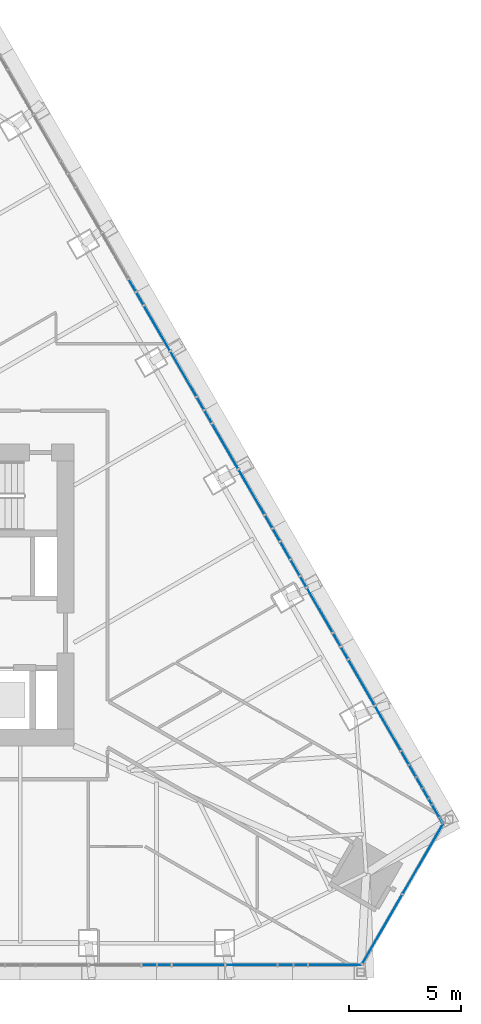
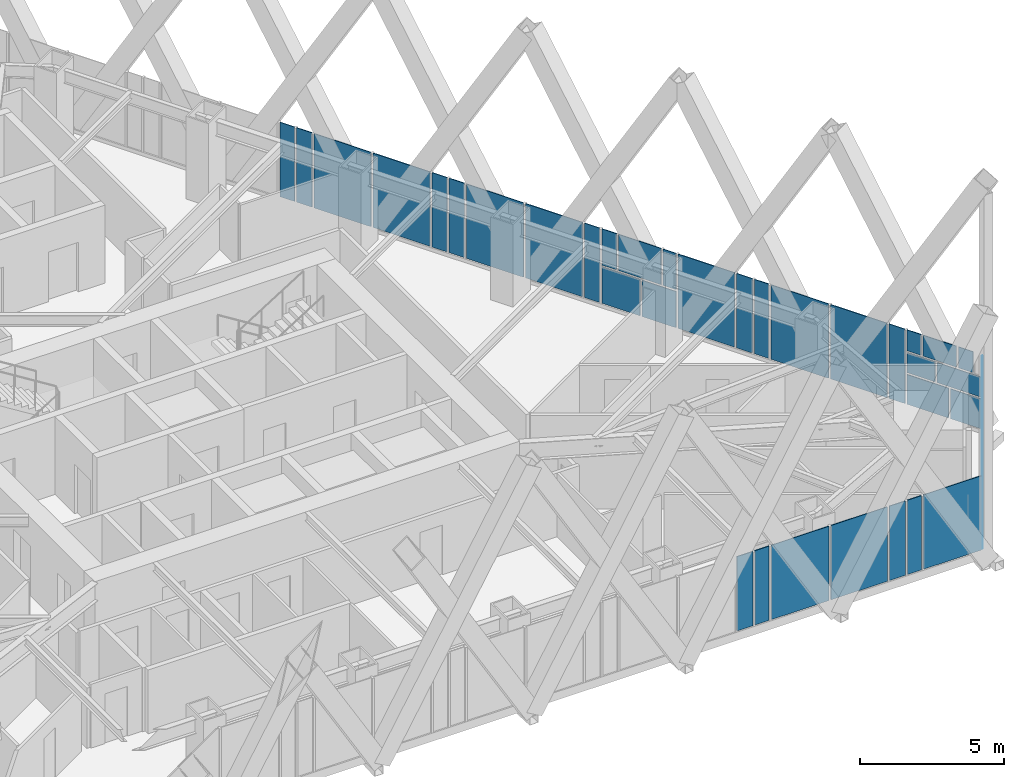
# One storey, part 14 of 23: 36 plates, 3 elements without a shape of their own.
"""IFC4 building model written with IfcOpenShell, lengths in metres."""

from ifc_helpers import new_model, si_unit, direction, frame, origin, place, context, subcontext, project, spatial, polyline, outline, extrude, material, layer, layer_set, type_object, element, aggregate, save


model = new_model("IFC4")

# Units and contexts
model_context = context("Model", 3, precision=1e-05, world=origin(), true_north=direction((0.0, 1.0)))
body_context = subcontext(model_context, "Body", "Model", "MODEL_VIEW")
ifc_project = project(units=[si_unit("LENGTHUNIT", "METRE"), si_unit("AREAUNIT", "SQUARE_METRE"), si_unit("VOLUMEUNIT", "CUBIC_METRE"), si_unit("PLANEANGLEUNIT", "RADIAN"), si_unit("MASSUNIT", "GRAM", prefix="KILO")], contexts=[model_context])

# Site, building, storey
site_placement = place(None, origin())
site = spatial("IfcSite", under=ifc_project, at=site_placement, CompositionType="ELEMENT")
building_placement = place(site_placement, origin())
building = spatial("IfcBuilding", under=site, at=building_placement, Name="Firuza Gate Tower and Library", CompositionType="ELEMENT")
storey_placement = place(building_placement, frame((0.0, 0.0, 302.10009765625)))
storey = spatial("IfcBuildingStorey", under=building, at=storey_placement, Name="L73", CompositionType="ELEMENT", Elevation=302.10009765625)

# Curtain wall, plates
ifc_material_1 = material(Name="Aluminium 6063-T6", Category="aluminium")
ifc_layer_1 = layer(ifc_material_1, 0.14990234375)
ifc_layer_set_1 = layer_set([ifc_layer_1], Name="Corner curtain wall, chamfers")
curtain_wall_type_1 = type_object("IfcCurtainWallType", Name="Corner curtain wall, chamfers", PredefinedType="NOTDEFINED", material=ifc_layer_set_1)
placement = place(storey_placement, origin())
curtain_wall_1 = element("IfcCurtainWall", 1, at=placement, inside=storey, type_object=curtain_wall_type_1, Name="CW4 L73 SE corner", PredefinedType="NOTDEFINED")
ifc_material_2 = material(Name="Fritted glass", Category="glass")
ifc_layer_2 = layer(ifc_material_2, 0.030029296875)
ifc_layer_set_2 = layer_set([ifc_layer_2], Name="Fritted glass unit, corners")
plate_type_1 = type_object("IfcPlateType", Name="Fritted glass unit, corners", PredefinedType="CURTAIN_PANEL", material=ifc_layer_set_2)
plate_1_placement = place(storey_placement, frame((96.412353515625, 58.476806640625, 0.14990234375), z_axis=(0.866046390552, -0.49996364809, 0.0), x_axis=(0.49996364809, 0.866046390552, 0.0)))
plate_1 = element("IfcPlate", 2, at=plate_1_placement, type_object=plate_type_1, Name="Glass unit", PredefinedType="CURTAIN_PANEL", context=body_context, shape_type="SweptSolid", body=[
    extrude(outline(polyline([(0.0, 0.0), (3.563247342942594, 0.0), (3.563247342942594, 3.14990234375), (0.0, 3.14990234375), (0.0, 0.0)])), origin(), (0.0, 0.0, -1.0), 0.030029296875),
])
plate_2_placement = place(storey_placement, frame((98.23388671875, 61.632080078125, 0.14990234375), z_axis=(0.866016723041, -0.500015035186, 0.0), x_axis=(0.500015035186, 0.866016723041, 0.0)))
plate_2 = element("IfcPlate", 3, at=plate_2_placement, type_object=plate_type_1, Name="Glass unit", PredefinedType="CURTAIN_PANEL", context=body_context, shape_type="SweptSolid", body=[
    extrude(outline(polyline([(0.0, 0.0), (3.5633694106530625, 0.0), (3.5633694106530625, 3.14990234375), (0.0, 3.14990234375), (0.0, 0.0)])), origin(), (0.0, 0.0, -1.0), 0.030029296875),
])
aggregate(curtain_wall_1, [plate_1, plate_2])

ifc_material_3 = material(Name="Aluminium 6063-T6", Category="aluminium")
ifc_layer_3 = layer(ifc_material_3, 0.14990234375)
ifc_layer_set_3 = layer_set([ifc_layer_3], Name="Unitised curtain wall, residences")
curtain_wall_type_2 = type_object("IfcCurtainWallType", Name="Unitised curtain wall, residences", PredefinedType="NOTDEFINED", material=ifc_layer_set_3)
curtain_wall_2 = element("IfcCurtainWall", 4, at=placement, inside=storey, type_object=curtain_wall_type_2, Name="CW3 L73 S face", PredefinedType="NOTDEFINED")
ifc_material_4 = material(Name="Fritted glass", Category="glass")
ifc_layer_4 = layer(ifc_material_4, 0.030029296875)
ifc_layer_set_4 = layer_set([ifc_layer_4], Name="Fritted glass unit, residences")
plate_type_2 = type_object("IfcPlateType", Name="Fritted glass unit, residences", PredefinedType="CURTAIN_PANEL", material=ifc_layer_set_4)
plate_3_placement = place(storey_placement, frame((86.549560546875, 58.434814453125, 0.14990234375), z_axis=(0.0, -1.0, 0.0), x_axis=(1.0, 0.0, 0.0)))
plate_3 = element("IfcPlate", 5, at=plate_3_placement, type_object=plate_type_2, Name="Glass unit", PredefinedType="CURTAIN_PANEL", context=body_context, shape_type="SweptSolid", body=[
    extrude(outline(polyline([(0.0, 0.0), (0.627197265625, 0.0), (0.627197265625, 3.14990234375), (0.0, 3.14990234375), (0.0, 0.0)])), origin(), (0.0, 0.0, -1.0), 0.030029296875),
])
plate_4_placement = place(storey_placement, frame((87.2568359375, 58.434814453125, 0.14990234375), z_axis=(0.0, -1.0, 0.0), x_axis=(1.0, 0.0, 0.0)))
plate_4 = element("IfcPlate", 6, at=plate_4_placement, type_object=plate_type_2, Name="Glass unit", PredefinedType="CURTAIN_PANEL", context=body_context, shape_type="SweptSolid", body=[
    extrude(outline(polyline([(0.0, 0.0), (0.57763671875, 0.0), (0.57763671875, 3.14990234375), (0.0, 3.14990234375), (0.0, 0.0)])), origin(), (0.0, 0.0, -1.0), 0.030029296875),
])
plate_5_placement = place(storey_placement, frame((92.6455078125, 58.434814453125, 0.14990234375), z_axis=(0.0, -1.0, 0.0), x_axis=(1.0, 0.0, 0.0)))
plate_5 = element("IfcPlate", 7, at=plate_5_placement, type_object=plate_type_2, Name="Glass unit", PredefinedType="CURTAIN_PANEL", context=body_context, shape_type="SweptSolid", body=[
    extrude(outline(polyline([(0.0, 0.0), (0.6396484375, 0.0), (0.6396484375, 3.14990234375), (0.0, 3.14990234375), (0.0, 0.0)])), origin(), (0.0, 0.0, -1.0), 0.030029296875),
])
plate_6_placement = place(storey_placement, frame((93.365234375, 58.434814453125, 0.14990234375), z_axis=(0.0, -1.0, 0.0), x_axis=(1.0, 0.0, 0.0)))
plate_6 = element("IfcPlate", 8, at=plate_6_placement, type_object=plate_type_2, Name="Glass unit", PredefinedType="CURTAIN_PANEL", context=body_context, shape_type="SweptSolid", body=[
    extrude(outline(polyline([(0.0, 0.0), (0.565185546875, 0.0), (0.565185546875, 3.14990234375), (0.0, 3.14990234375), (0.0, 0.0)])), origin(), (0.0, 0.0, -1.0), 0.030029296875),
])

curtain_wall_3 = element("IfcCurtainWall", 9, at=placement, inside=storey, type_object=curtain_wall_type_2, Name="CW3 L73 E face", PredefinedType="NOTDEFINED")
plate_7_placement = place(storey_placement, frame((99.35986328125, 65.938232421875, 0.14990234375), z_axis=(0.866002163101, 0.500040251884, 0.0), x_axis=(-0.500040251884, 0.866002163101, 0.0)))
plate_7 = element("IfcPlate", 10, at=plate_7_placement, type_object=plate_type_2, Name="Glass unit", PredefinedType="CURTAIN_PANEL", context=body_context, shape_type="SweptSolid", body=[
    extrude(outline(polyline([(0.0, 0.0), (1.6624638216484895, 0.0), (1.6624638216484895, 1.260009765625), (0.0, 1.260009765625), (0.0, 0.0)])), origin(), (0.0, 0.0, -1.0), 0.030029296875),
])
plate_8_placement = place(storey_placement, frame((99.09130859375, 66.4033203125, 1.489990234375), z_axis=(0.866004950882, 0.500035423793, 0.0), x_axis=(-0.500035423793, 0.866004950882, 0.0)))
plate_8 = element("IfcPlate", 11, at=plate_8_placement, type_object=plate_type_2, Name="Glass unit", PredefinedType="CURTAIN_PANEL", context=body_context, shape_type="SweptSolid", body=[
    extrude(outline(polyline([(0.0, 0.0), (1.1254085487704724, 0.0), (1.1254085487704724, 0.844970703125), (0.0, 0.844970703125), (0.0, 0.0)])), origin(), (0.0, 0.0, -1.0), 0.030029296875),
])
plate_9_placement = place(storey_placement, frame((99.85009765625, 65.089111328125, 2.414794921875), z_axis=(0.865997745606, 0.500047902311, 0.0), x_axis=(-0.500047902311, 0.865997745606, 0.0)))
plate_9 = element("IfcPlate", 12, at=plate_9_placement, type_object=plate_type_2, Name="Glass unit", PredefinedType="CURTAIN_PANEL", context=body_context, shape_type="SweptSolid", body=[
    extrude(outline(polyline([(0.0, 0.0), (0.5844166664324071, 0.0), (0.5844166664324071, 0.885009765625), (0.0, 0.885009765625), (0.0, 0.0)])), origin(), (0.0, 0.0, -1.0), 0.030029296875),
])
plate_10_placement = place(storey_placement, frame((98.81103515625, 66.888427734375, 2.414794921875), z_axis=(0.86613523903, 0.4998097115, 0.0), x_axis=(-0.4998097115, 0.86613523903, 0.0)))
plate_10 = element("IfcPlate", 13, at=plate_10_placement, type_object=plate_type_2, Name="Glass unit", PredefinedType="CURTAIN_PANEL", context=body_context, shape_type="SweptSolid", body=[
    extrude(outline(polyline([(0.0, 0.0), (0.5651564918118888, 0.0), (0.5651564918118888, 0.8850097656249998), (0.0, 0.8850097656249998), (0.0, 0.0)])), origin(), (0.0, 0.0, -1.0), 0.030029296875),
])
plate_11_placement = place(storey_placement, frame((98.488525390625, 67.447265625, 0.14990234375), z_axis=(0.866026686418, 0.499997778408, 0.0), x_axis=(-0.499997778408, 0.866026686418, 0.0)))
plate_11 = element("IfcPlate", 14, at=plate_11_placement, type_object=plate_type_2, Name="Glass unit", PredefinedType="CURTAIN_PANEL", context=body_context, shape_type="SweptSolid", body=[
    extrude(outline(polyline([(0.0, 0.0), (0.639651279588748, 0.0), (0.639651279588748, 3.14990234375), (0.0, 3.14990234375), (0.0, 0.0)])), origin(), (0.0, 0.0, -1.0), 0.030029296875),
])
plate_12_placement = place(storey_placement, frame((95.76318359375, 72.167724609375, 0.14990234375), z_axis=(0.86602370202, 0.50000294753, 0.0), x_axis=(-0.50000294753, 0.86602370202, 0.0)))
plate_12 = element("IfcPlate", 15, at=plate_12_placement, type_object=plate_type_2, Name="Glass unit", PredefinedType="CURTAIN_PANEL", context=body_context, shape_type="SweptSolid", body=[
    extrude(outline(polyline([(0.0, 0.0), (0.5776333135664108, 0.0), (0.5776333135664108, 3.149902343750001), (0.0, 3.149902343750001), (0.0, 0.0)])), origin(), (0.0, 0.0, -1.0), 0.030029296875),
])
plate_13_placement = place(storey_placement, frame((95.434326171875, 72.7373046875, 0.14990234375), z_axis=(0.866029956157, 0.499992114976, 0.0), x_axis=(-0.499992114976, 0.866029956157, 0.0)))
plate_13 = element("IfcPlate", 16, at=plate_13_placement, type_object=plate_type_2, Name="Glass unit", PredefinedType="CURTAIN_PANEL", context=body_context, shape_type="SweptSolid", body=[
    extrude(outline(polyline([(0.0, 0.0), (0.6269630122370689, 0.0), (0.6269630122370689, 3.14990234375), (0.0, 3.14990234375), (0.0, 0.0)])), origin(), (0.0, 0.0, -1.0), 0.030029296875),
])
plate_14_placement = place(storey_placement, frame((93.183837890625, 76.635009765625, 0.14990234375), z_axis=(0.866071151935, 0.499920753507, 0.0), x_axis=(-0.499920753507, 0.866071151935, 0.0)))
plate_14 = element("IfcPlate", 17, at=plate_14_placement, type_object=plate_type_2, Name="Glass unit", PredefinedType="CURTAIN_PANEL", context=body_context, shape_type="SweptSolid", body=[
    extrude(outline(polyline([(0.0, 0.0), (1.5275858616461073, 0.0), (1.5275858616461073, 1.534912109375), (0.0, 1.534912109375), (0.0, 0.0)])), origin(), (0.0, 0.0, -1.0), 0.030029296875),
])
plate_15_placement = place(storey_placement, frame((93.9072265625, 75.38232421875, 1.764892578125), z_axis=(0.865892535325, 0.500230064339, 0.0), x_axis=(-0.500230064339, 0.865892535325, 0.0)))
plate_15 = element("IfcPlate", 18, at=plate_15_placement, type_object=plate_type_2, Name="Glass unit", PredefinedType="CURTAIN_PANEL", context=body_context, shape_type="SweptSolid", body=[
    extrude(outline(polyline([(0.0, 0.0), (0.5134356285427951, 0.0), (0.5134356285427951, 1.534912109375), (0.0, 1.534912109375), (0.0, 0.0)])), origin(), (0.0, 0.0, -1.0), 0.030029296875),
])
plate_16_placement = place(storey_placement, frame((92.715087890625, 77.447021484375, 1.764892578125), z_axis=(0.866096013675, 0.499877680134, 0.0), x_axis=(-0.499877680134, 0.866096013675, 0.0)))
plate_16 = element("IfcPlate", 19, at=plate_16_placement, type_object=plate_type_2, Name="Glass unit", PredefinedType="CURTAIN_PANEL", context=body_context, shape_type="SweptSolid", body=[
    extrude(outline(polyline([(0.0, 0.0), (0.5899880845272943, 0.0), (0.5899880845272943, 1.534912109375), (0.0, 1.534912109375), (0.0, 0.0)])), origin(), (0.0, 0.0, -1.0), 0.030029296875),
])
plate_17_placement = place(storey_placement, frame((92.380126953125, 78.02734375, 0.14990234375), z_axis=(0.865960651394, 0.500112137663, 0.0), x_axis=(-0.500112137663, 0.865960651394, 0.0)))
plate_17 = element("IfcPlate", 20, at=plate_17_placement, type_object=plate_type_2, Name="Glass unit", PredefinedType="CURTAIN_PANEL", context=body_context, shape_type="SweptSolid", body=[
    extrude(outline(polyline([(0.0, 0.0), (0.614608252284158, 0.0), (0.614608252284158, 3.14990234375), (0.0, 3.14990234375), (0.0, 0.0)])), origin(), (0.0, 0.0, -1.0), 0.030029296875),
])
plate_18_placement = place(storey_placement, frame((89.667236328125, 82.726318359375, 0.14990234375), z_axis=(0.86598987286, 0.500061536317, 0.0), x_axis=(-0.500061536317, 0.86598987286, 0.0)))
plate_18 = element("IfcPlate", 21, at=plate_18_placement, type_object=plate_type_2, Name="Glass unit", PredefinedType="CURTAIN_PANEL", context=body_context, shape_type="SweptSolid", body=[
    extrude(outline(polyline([(0.0, 0.0), (0.6024649155559688, 0.0), (0.6024649155559688, 3.14990234375), (0.0, 3.14990234375), (0.0, 0.0)])), origin(), (0.0, 0.0, -1.0), 0.030029296875),
])
plate_19_placement = place(storey_placement, frame((89.325927734375, 83.3173828125, 0.14990234375), z_axis=(0.865888485494, 0.500237074485, 0.0), x_axis=(-0.500237074485, 0.865888485494, 0.0)))
plate_19 = element("IfcPlate", 22, at=plate_19_placement, type_object=plate_type_2, Name="Glass unit", PredefinedType="CURTAIN_PANEL", context=body_context, shape_type="SweptSolid", body=[
    extrude(outline(polyline([(0.0, 0.0), (0.6022535046213806, 0.0), (0.6022535046213806, 3.14990234375), (0.0, 3.14990234375), (0.0, 0.0)])), origin(), (0.0, 0.0, -1.0), 0.030029296875),
])
plate_20_placement = place(storey_placement, frame((86.619140625, 88.005615234375, 0.14990234375), z_axis=(0.866059952115, 0.49994015576, 0.0), x_axis=(-0.49994015576, 0.866059952115, 0.0)))
plate_20 = element("IfcPlate", 23, at=plate_20_placement, type_object=plate_type_2, Name="Glass unit", PredefinedType="CURTAIN_PANEL", context=body_context, shape_type="SweptSolid", body=[
    extrude(outline(polyline([(0.0, 0.0), (0.6148196805825695, 0.0), (0.6148196805825695, 3.14990234375), (0.0, 3.14990234375), (0.0, 0.0)])), origin(), (0.0, 0.0, -1.0), 0.030029296875),
])
plate_21_placement = place(storey_placement, frame((86.271728515625, 88.607177734375, 0.14990234375), z_axis=(0.866096013675, 0.499877680134, 0.0), x_axis=(-0.499877680134, 0.866096013675, 0.0)))
plate_21 = element("IfcPlate", 24, at=plate_21_placement, type_object=plate_type_2, Name="Glass unit", PredefinedType="CURTAIN_PANEL", context=body_context, shape_type="SweptSolid", body=[
    extrude(outline(polyline([(0.0, 0.0), (0.5899880845272943, 0.0), (0.5899880845272943, 3.14990234375), (0.0, 3.14990234375), (0.0, 0.0)])), origin(), (0.0, 0.0, -1.0), 0.030029296875),
])

# Plate
ifc_material_5 = material(Name="Glazed ceramic tile")
ifc_layer_5 = layer(ifc_material_5, 0.030029296875)
ifc_layer_set_5 = layer_set([ifc_layer_5], Name="Opaque ceramic panel, residences")
plate_type_3 = type_object("IfcPlateType", Name="Opaque ceramic panel, residences", PredefinedType="CURTAIN_PANEL", material=ifc_layer_set_5)
plate_22_placement = place(storey_placement, frame((87.914306640625, 58.434814453125, 0.14990234375), z_axis=(0.0, -1.0, 0.0), x_axis=(1.0, 0.0, 0.0)))
plate_22 = element("IfcPlate", 25, at=plate_22_placement, type_object=plate_type_3, Name="Opaque ceramic panel", PredefinedType="CURTAIN_PANEL", context=body_context, shape_type="SweptSolid", body=[
    extrude(outline(polyline([(0.0, 0.0), (2.316650390625, 0.0), (2.316650390625, 3.14990234375), (0.0, 3.14990234375), (0.0, 0.0)])), origin(), (0.0, 0.0, -1.0), 0.030029296875),
])

plate_23_placement = place(storey_placement, frame((90.31103515625, 58.434814453125, 0.14990234375), z_axis=(0.0, -1.0, 0.0), x_axis=(1.0, 0.0, 0.0)))
plate_23 = element("IfcPlate", 26, at=plate_23_placement, type_object=plate_type_3, Name="Opaque ceramic panel", PredefinedType="CURTAIN_PANEL", context=body_context, shape_type="SweptSolid", body=[
    extrude(outline(polyline([(0.0, 0.0), (2.254638671875, 0.0), (2.254638671875, 3.14990234375), (0.0, 3.14990234375), (0.0, 0.0)])), origin(), (0.0, 0.0, -1.0), 0.030029296875),
])

plate_24_placement = place(storey_placement, frame((94.010498046875, 58.434814453125, 0.14990234375), z_axis=(0.0, -1.0, 0.0), x_axis=(1.0, 0.0, 0.0)))
plate_24 = element("IfcPlate", 27, at=plate_24_placement, type_object=plate_type_3, Name="Opaque ceramic panel", PredefinedType="CURTAIN_PANEL", context=body_context, shape_type="SweptSolid", body=[
    extrude(outline(polyline([(0.0, 0.0), (2.328857421875, 0.0), (2.328857421875, 3.14990234375), (0.0, 3.14990234375), (0.0, 0.0)])), origin(), (0.0, 0.0, -1.0), 0.030029296875),
])

aggregate(curtain_wall_2, [plate_3, plate_4, plate_22, plate_23, plate_5, plate_6, plate_24])

plate_25_placement = place(storey_placement, frame((100.015625, 64.80224609375, 0.14990234375), z_axis=(0.866063454512, 0.499934088414, 0.0), x_axis=(-0.499934088414, 0.866063454512, 0.0)))
plate_25 = element("IfcPlate", 28, at=plate_25_placement, type_object=plate_type_3, Name="Opaque ceramic panel", PredefinedType="CURTAIN_PANEL", context=body_context, shape_type="SweptSolid", body=[
    extrude(outline(polyline([(0.0, 0.0), (1.2316076669297007, 0.0), (1.2316076669297007, 1.260009765625), (0.0, 1.260009765625), (0.0, 0.0)])), origin(), (0.0, 0.0, -1.0), 0.030029296875),
])

plate_26_placement = place(storey_placement, frame((100.015625, 64.80224609375, 1.489990234375), z_axis=(0.866043071095, 0.499969398072, 0.0), x_axis=(-0.499969398072, 0.866043071095, 0.0)))
plate_26 = element("IfcPlate", 29, at=plate_26_placement, type_object=plate_type_3, Name="Opaque ceramic panel", PredefinedType="CURTAIN_PANEL", context=body_context, shape_type="SweptSolid", body=[
    extrude(outline(polyline([(0.0, 0.0), (1.7686629364908002, 0.0), (1.7686629364908002, 0.844970703125), (0.0, 0.844970703125), (0.0, 0.0)])), origin(), (0.0, 0.0, -1.0), 0.030029296875),
])

plate_27_placement = place(storey_placement, frame((99.517822265625, 65.66455078125, 2.414794921875), z_axis=(0.865969054653, 0.500097586859, 0.0), x_axis=(-0.500097586859, 0.865969054653, 0.0)))
plate_27 = element("IfcPlate", 30, at=plate_27_placement, type_object=plate_type_3, Name="Opaque ceramic panel", PredefinedType="CURTAIN_PANEL", context=body_context, shape_type="SweptSolid", body=[
    extrude(outline(polyline([(0.0, 0.0), (1.333235881144831, 0.0), (1.333235881144831, 0.885009765625), (0.0, 0.885009765625), (0.0, 0.0)])), origin(), (0.0, 0.0, -1.0), 0.030029296875),
])

plate_28_placement = place(storey_placement, frame((98.128662109375, 68.0703125, 0.14990234375), z_axis=(0.8660557602, 0.49994741746, 0.0), x_axis=(-0.49994741746, 0.8660557602, 0.0)))
plate_28 = element("IfcPlate", 31, at=plate_28_placement, type_object=plate_type_3, Name="Opaque ceramic panel", PredefinedType="CURTAIN_PANEL", context=body_context, shape_type="SweptSolid", body=[
    extrude(outline(polyline([(0.0, 0.0), (2.2546316397680672, 0.0), (2.2546316397680672, 3.1499023437499996), (0.0, 3.1499023437499996), (0.0, 0.0)])), origin(), (0.0, 0.0, -1.0), 0.030029296875),
])

plate_29_placement = place(storey_placement, frame((96.96142578125, 70.09228515625, 0.14990234375), z_axis=(0.866029381593, 0.499993110171, 0.0), x_axis=(-0.499993110171, 0.866029381593, 0.0)))
plate_29 = element("IfcPlate", 32, at=plate_29_placement, type_object=plate_type_3, Name="Opaque ceramic panel", PredefinedType="CURTAIN_PANEL", context=body_context, shape_type="SweptSolid", body=[
    extrude(outline(polyline([(0.0, 0.0), (2.3164381697258296, 0.0), (2.3164381697258296, 3.14990234375), (0.0, 3.14990234375), (0.0, 0.0)])), origin(), (0.0, 0.0, -1.0), 0.030029296875),
])

plate_30_placement = place(storey_placement, frame((95.080810546875, 73.349609375, 0.14990234375), z_axis=(0.866027775618, 0.499995891842, 0.0), x_axis=(-0.499995891842, 0.866027775618, 0.0)))
plate_30 = element("IfcPlate", 33, at=plate_30_placement, type_object=plate_type_3, Name="Opaque ceramic panel", PredefinedType="CURTAIN_PANEL", context=body_context, shape_type="SweptSolid", body=[
    extrude(outline(polyline([(0.0, 0.0), (2.2671084710300136, 0.0), (2.2671084710300136, 3.14990234375), (0.0, 3.14990234375), (0.0, 0.0)])), origin(), (0.0, 0.0, -1.0), 0.030029296875),
])

plate_31_placement = place(storey_placement, frame((93.9072265625, 75.38232421875, 0.14990234375), z_axis=(0.865980278416, 0.500078151287, 0.0), x_axis=(-0.500078151287, 0.865980278416, 0.0)))
plate_31 = element("IfcPlate", 34, at=plate_31_placement, type_object=plate_type_3, Name="Opaque ceramic panel", PredefinedType="CURTAIN_PANEL", context=body_context, shape_type="SweptSolid", body=[
    extrude(outline(polyline([(0.0, 0.0), (1.3664856335289186, 0.0), (1.3664856335289186, 1.534912109375), (0.0, 1.534912109375), (0.0, 0.0)])), origin(), (0.0, 0.0, -1.0), 0.030029296875),
])

plate_32_placement = place(storey_placement, frame((93.6103515625, 75.896240234375, 1.764892578125), z_axis=(0.86604773994, 0.499961310648, 0.0), x_axis=(-0.499961310648, 0.86604773994, 0.0)))
plate_32 = element("IfcPlate", 35, at=plate_32_placement, type_object=plate_type_3, Name="Opaque ceramic panel", PredefinedType="CURTAIN_PANEL", context=body_context, shape_type="SweptSolid", body=[
    extrude(outline(polyline([(0.0, 0.0), (1.7105815813368401, 0.0), (1.7105815813368401, 1.534912109375), (0.0, 1.534912109375), (0.0, 0.0)])), origin(), (0.0, 0.0, -1.0), 0.030029296875),
])

plate_33_placement = place(storey_placement, frame((92.03271484375, 78.62890625, 0.14990234375), z_axis=(0.866046471269, 0.499963508271, 0.0), x_axis=(-0.499963508271, 0.866046471269, 0.0)))
plate_33 = element("IfcPlate", 36, at=plate_33_placement, type_object=plate_type_3, Name="Opaque ceramic panel", PredefinedType="CURTAIN_PANEL", context=body_context, shape_type="SweptSolid", body=[
    extrude(outline(polyline([(0.0, 0.0), (2.279463238107798, 0.0), (2.279463238107798, 3.14990234375), (0.0, 3.14990234375), (0.0, 0.0)])), origin(), (0.0, 0.0, -1.0), 0.030029296875),
])

plate_34_placement = place(storey_placement, frame((90.85302734375, 80.67236328125, 0.14990234375), z_axis=(0.865992204334, 0.500057498726, 0.0), x_axis=(-0.500057498726, 0.865992204334, 0.0)))
plate_34 = element("IfcPlate", 37, at=plate_34_placement, type_object=plate_type_3, Name="Opaque ceramic panel", PredefinedType="CURTAIN_PANEL", context=body_context, shape_type="SweptSolid", body=[
    extrude(outline(polyline([(0.0, 0.0), (2.291728644544413, 0.0), (2.291728644544413, 3.149902343750001), (0.0, 3.149902343750001), (0.0, 0.0)])), origin(), (0.0, 0.0, -1.0), 0.030029296875),
])

plate_35_placement = place(storey_placement, frame((88.984619140625, 83.908203125, 0.14990234375), z_axis=(0.866064964159, 0.499931473161, 0.0), x_axis=(-0.499931473161, 0.866064964159, 0.0)))
plate_35 = element("IfcPlate", 38, at=plate_35_placement, type_object=plate_type_3, Name="Opaque ceramic panel", PredefinedType="CURTAIN_PANEL", context=body_context, shape_type="SweptSolid", body=[
    extrude(outline(polyline([(0.0, 0.0), (2.291818008338417, 0.0), (2.291818008338417, 3.14990234375), (0.0, 3.14990234375), (0.0, 0.0)])), origin(), (0.0, 0.0, -1.0), 0.030029296875),
])

plate_36_placement = place(storey_placement, frame((87.798828125, 85.962158203125, 0.14990234375), z_axis=(0.866046471269, 0.499963508271, 0.0), x_axis=(-0.499963508271, 0.866046471269, 0.0)))
plate_36 = element("IfcPlate", 39, at=plate_36_placement, type_object=plate_type_3, Name="Opaque ceramic panel", PredefinedType="CURTAIN_PANEL", context=body_context, shape_type="SweptSolid", body=[
    extrude(outline(polyline([(0.0, 0.0), (2.279463238107798, 0.0), (2.279463238107798, 3.14990234375), (0.0, 3.14990234375), (0.0, 0.0)])), origin(), (0.0, 0.0, -1.0), 0.030029296875),
])

aggregate(curtain_wall_3, [plate_25, plate_7, plate_26, plate_8, plate_9, plate_27, plate_10, plate_11, plate_28, plate_29, plate_12, plate_13, plate_30, plate_31, plate_14, plate_15, plate_32, plate_16, plate_17, plate_33, plate_34, plate_18, plate_19, plate_35, plate_36, plate_20, plate_21])

save(model, "model.ifc")
